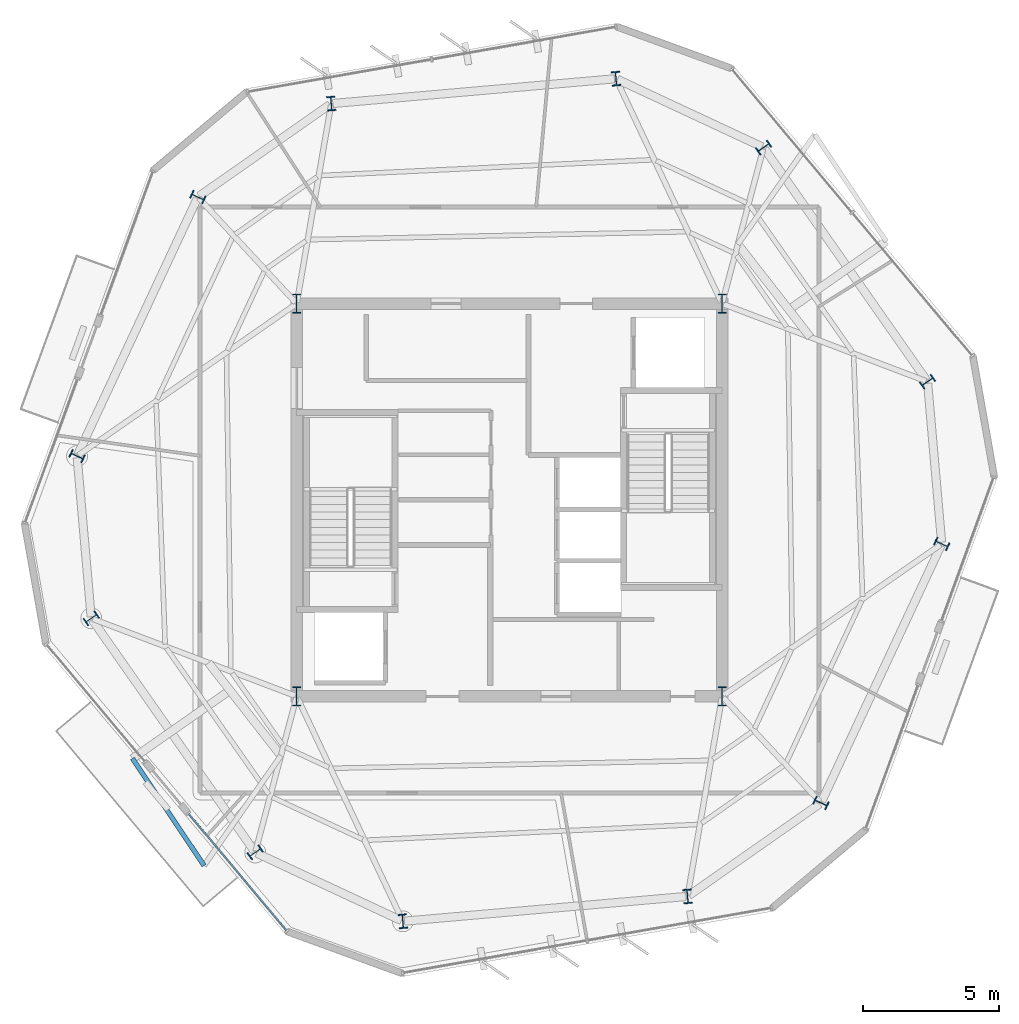
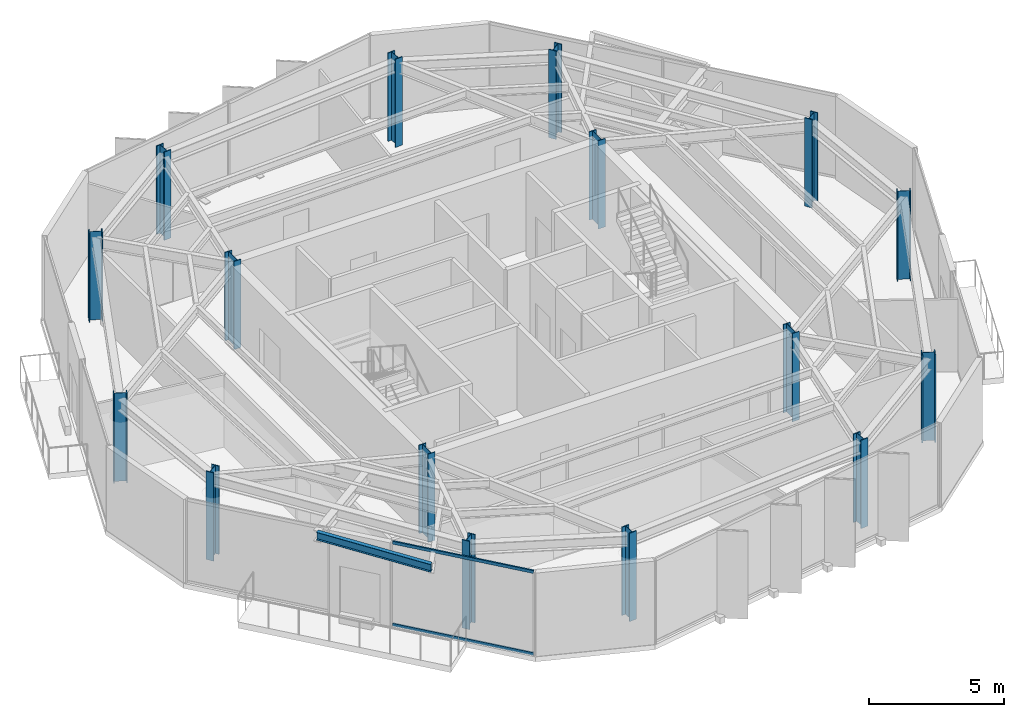
# One storey, part 1 of 11: 16 columns, 2 members, 1 beam, 1 element without a shape of its own.
"""IFC4 building model written with IfcOpenShell, lengths in metres."""

from ifc_helpers import new_model, si_unit, direction, frame, origin, origin_2d, place, context, subcontext, project, spatial, rectangle, i_section, extrude, material, layer, layer_set, material_profile, profile_set, type_object, element, aggregate, save


model = new_model("IFC4")

# Units and contexts
model_context = context("Model", 3, precision=1e-05, world=origin(), true_north=direction((0.0, 1.0)))
body_context = subcontext(model_context, "Body", "Model", "MODEL_VIEW")
ifc_project = project(units=[si_unit("LENGTHUNIT", "METRE"), si_unit("AREAUNIT", "SQUARE_METRE"), si_unit("VOLUMEUNIT", "CUBIC_METRE"), si_unit("PLANEANGLEUNIT", "RADIAN"), si_unit("MASSUNIT", "GRAM", prefix="KILO")], contexts=[model_context])

# Site, building, storey
site_placement = place(None, origin())
site = spatial("IfcSite", under=ifc_project, at=site_placement, CompositionType="ELEMENT")
building_placement = place(site_placement, origin())
building = spatial("IfcBuilding", under=site, at=building_placement, Name="Kranzbogen Civic Tower", CompositionType="ELEMENT")
storey_placement = place(building_placement, frame((0.0, 0.0, 306.199951171875)))
storey = spatial("IfcBuildingStorey", under=building, at=storey_placement, Name="L74", CompositionType="ELEMENT", Elevation=306.199951171875)

# Columns
ifc_material_1 = material(Name="Steel S355", Category="steel")
ifc_material_profile_1 = material_profile(ifc_material_1, i_section(OverallWidth=0.300048828125, OverallDepth=0.699951171875, WebThickness=0.01708984375, FlangeThickness=0.031982421875, at=origin_2d()), Name="HEB 700")
ifc_profile_set_1 = profile_set([ifc_material_profile_1], Name="Steel S355")
column_type_1 = type_object("IfcColumnType", Name="Structural Column HEB 700", PredefinedType="COLUMN", material=ifc_profile_set_1)
for number, where, z_axis, x_axis, name in (
    (1, (17.199951171875, 17.800048828125, 0.0), (0.0, 0.0, 1.0), (1.0, 0.0, 0.0), "L74 composite core corner column 1"),
    (2, (32.800048828125, 17.800048828125, 0.0), (0.0, 0.0, 1.0), (1.0, 0.0, 0.0), "L74 composite core corner column 2"),
    (3, (32.800048828125, 32.199951171875, 0.0), (0.0, 0.0, 1.0), (1.0, 0.0, 0.0), "L74 composite core corner column 3"),
    (4, (17.199951171875, 32.199951171875, 0.0), (0.0, 0.0, 1.0), (1.0, 0.0, 0.0), "L74 composite core corner column 4"),
):
    element("IfcColumn", number, at=place(storey_placement, frame(where, z_axis=z_axis, x_axis=x_axis)), inside=storey, type_object=column_type_1, Name=name, PredefinedType="COLUMN", context=body_context, shape_type="SweptSolid", body=[
        extrude(i_section(OverallWidth=0.300048828125, OverallDepth=0.699951171875, WebThickness=0.01708984375, FlangeThickness=0.031982421875, at=origin_2d()), origin(), (0.0, 0.0, 1.0), 4.0),
    ])
ifc_material_profile_2 = material_profile(ifc_material_1, i_section(OverallWidth=0.305908203125, OverallDepth=0.52392578125, WebThickness=0.02099609375, FlangeThickness=0.0400390625, at=origin_2d()), Name="HEM 500")
ifc_profile_set_2 = profile_set([ifc_material_profile_2], Name="Steel S355")
column_type_2 = type_object("IfcColumnType", Name="Structural Column HEM 500", PredefinedType="COLUMN", material=ifc_profile_set_2)
for number, where, z_axis, x_axis, name in (
    (5, (28.908935546875, 40.449951171875, 0.0), (0.0, 0.0, 1.0), (0.996194698092, 0.087155742748, 0.0), "L74 tower perimeter tube column 01"),
    (6, (18.467041015625, 39.535888671875, 0.0), (0.0, 0.0, 1.0), (0.996194698092, 0.087155742748, 0.0), "L74 tower perimeter tube column 02"),
    (7, (13.574951171875, 36.110107421875, 0.0), (0.0, 0.0, 1.0), (0.422618261741, 0.906307787037, 0.0), "L74 tower perimeter tube column 03"),
    (8, (9.14501953125, 26.610107421875, 0.0), (0.0, 0.0, 1.0), (0.422618261741, 0.906307787037, 0.0), "L74 tower perimeter tube column 04"),
    (9, (9.666015625, 20.660888671875, 0.0), (0.0, 0.0, 1.0), (-0.573576436351, 0.819152044289, 0.0), "L74 tower perimeter tube column 05"),
    (10, (15.677978515625, 12.073974609375, 0.0), (0.0, 0.0, 1.0), (-0.573576436351, 0.819152044289, 0.0), "L74 tower perimeter tube column 06"),
    (11, (21.091064453125, 9.550048828125, 0.0), (0.0, 0.0, 1.0), (0.996194698092, 0.087155742748, 0.0), "L74 tower perimeter tube column 07"),
    (12, (31.532958984375, 10.464111328125, 0.0), (0.0, 0.0, 1.0), (0.996194698092, 0.087155742748, 0.0), "L74 tower perimeter tube column 08"),
    (13, (36.425048828125, 13.889892578125, 0.0), (0.0, 0.0, 1.0), (0.422618261741, 0.906307787037, 0.0), "L74 tower perimeter tube column 09"),
    (14, (40.85498046875, 23.389892578125, 0.0), (0.0, 0.0, 1.0), (0.422618261741, 0.906307787037, 0.0), "L74 tower perimeter tube column 10"),
    (15, (40.333984375, 29.339111328125, 0.0), (0.0, 0.0, 1.0), (-0.573576436351, 0.819152044289, 0.0), "L74 tower perimeter tube column 11"),
    (16, (34.322021484375, 37.926025390625, 0.0), (0.0, 0.0, 1.0), (-0.573576436351, 0.819152044289, 0.0), "L74 tower perimeter tube column 12"),
):
    element("IfcColumn", number, at=place(storey_placement, frame(where, z_axis=z_axis, x_axis=x_axis)), inside=storey, type_object=column_type_2, Name=name, PredefinedType="COLUMN", context=body_context, shape_type="SweptSolid", body=[
        extrude(i_section(OverallWidth=0.305908203125, OverallDepth=0.52392578125, WebThickness=0.02099609375, FlangeThickness=0.0400390625, at=origin_2d()), origin(), (0.0, 0.0, 1.0), 4.0),
    ])

# Curtain wall, members
ifc_material_2 = material(Name="Pale Anodised Aluminium", Category="aluminium")
ifc_layer = layer(ifc_material_2, 0.219970703125, Name="Pale Anodised Aluminium")
ifc_layer_set = layer_set([ifc_layer], Name="Pale Anodised Aluminium")
curtain_wall_type = type_object("IfcCurtainWallType", Name="Zone 4 Stick Curtain Wall System CW-05", PredefinedType="USERDEFINED", material=ifc_layer_set)
curtain_wall_placement = place(storey_placement, origin())
curtain_wall = element("IfcCurtainWall", 17, at=curtain_wall_placement, inside=storey, type_object=curtain_wall_type, Name="L74 curtain wall CW-L74-F3-S2", ObjectType="STICK CURTAIN WALL", PredefinedType="USERDEFINED")
ifc_material_profile_3 = material_profile(ifc_material_2, rectangle(XDim=0.06494140625, YDim=0.135009765625, at=origin_2d()), Name="ALU-T 65x135")
ifc_profile_set_3 = profile_set([ifc_material_profile_3], Name="Pale Anodised Aluminium")
member_type = type_object("IfcMemberType", Name="Curtain Wall Transom ALU-T 65x135", PredefinedType="USERDEFINED", material=ifc_profile_set_3)
member_1_placement = place(storey_placement, frame((13.24365234375, 13.489990234375, 0.030029296875), z_axis=(0.642749143934, -0.766076718072, 0.0), x_axis=(0.766076718072, 0.642749143934, 0.0)))
member_1 = element("IfcMember", 18, at=member_1_placement, type_object=member_type, Name="CW-05 transom 1.1", ObjectType="TRANSOM", PredefinedType="USERDEFINED", context=body_context, shape_type="SweptSolid", body=[
    extrude(rectangle(XDim=0.06494140625, YDim=0.135009765625, at=origin_2d()), origin(), (0.0, 0.0, 1.0), 5.572509765625),
])
member_2_placement = place(storey_placement, frame((13.24365234375, 13.489990234375, 3.75), z_axis=(0.642749143934, -0.766076718072, 0.0), x_axis=(0.766076718072, 0.642749143934, 0.0)))
member_2 = element("IfcMember", 19, at=member_2_placement, type_object=member_type, Name="CW-05 transom 1.2", ObjectType="TRANSOM", PredefinedType="USERDEFINED", context=body_context, shape_type="SweptSolid", body=[
    extrude(rectangle(XDim=0.06494140625, YDim=0.135009765625, at=origin_2d()), origin(), (0.0, 0.0, 1.0), 5.572509765625),
])
aggregate(curtain_wall, [member_1, member_2])

# Beam
ifc_material_profile_4 = material_profile(ifc_material_1, i_section(OverallWidth=0.169921875, OverallDepth=0.360107421875, WebThickness=0.008056640625, FlangeThickness=0.0126953125, at=origin_2d()), Name="IPE 360")
ifc_profile_set_4 = profile_set([ifc_material_profile_4], Name="Steel S355")
beam_type = type_object("IfcBeamType", Name="Secondary Composite Floor Joist IPE 360", PredefinedType="JOIST", material=ifc_profile_set_4)
beam_placement = place(storey_placement, frame((11.178955078125, 15.51806640625, 3.570068359375), z_axis=(0.555678876837, -0.831397008557, 0.0), x_axis=(0.831397008557, 0.555678876837, 0.0)))
element("IfcBeam", 20, at=beam_placement, inside=storey, type_object=beam_type, Name="L75 terrace outer edge trimmer L75-TB1", PredefinedType="JOIST", context=body_context, shape_type="SweptSolid", body=[
    extrude(i_section(OverallWidth=0.169921875, OverallDepth=0.360107421875, WebThickness=0.008056640625, FlangeThickness=0.0126953125, at=origin_2d()), origin(), (0.0, 0.0, 1.0), 4.71875),
])

save(model, "model.ifc")
